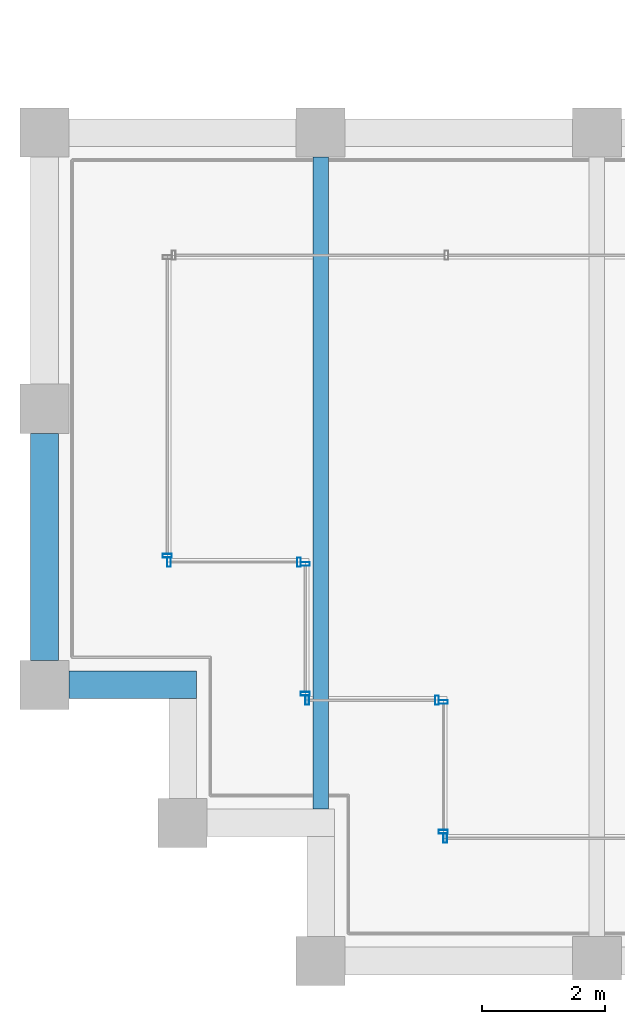
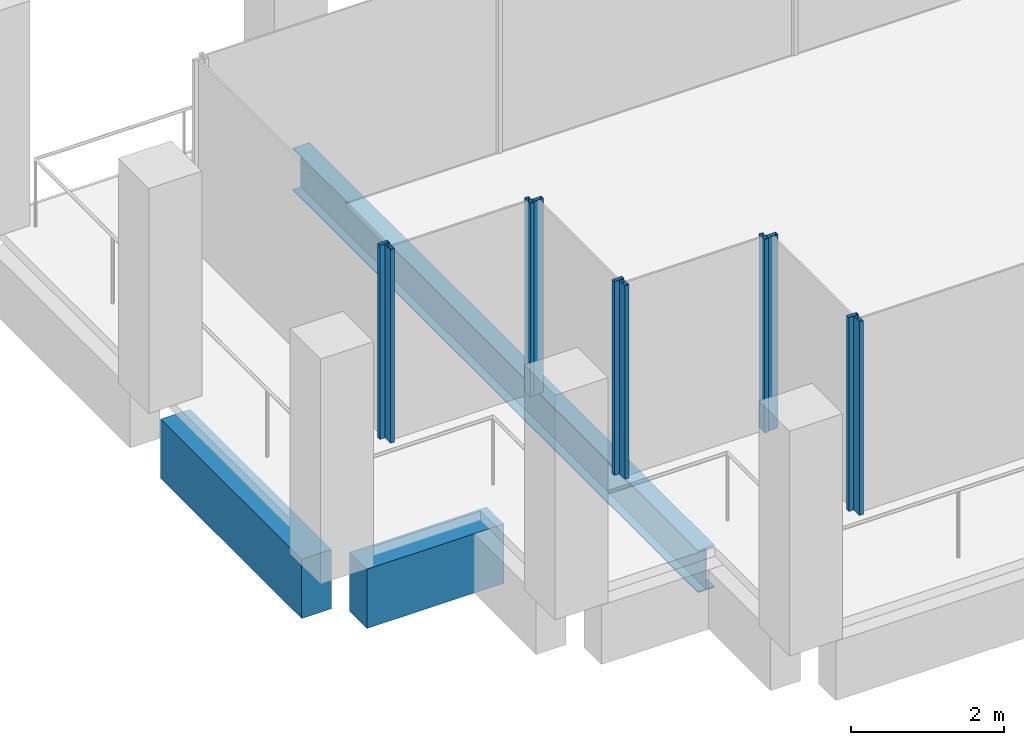
# One storey, part 2 of 30: 10 members, 3 beams, 6 elements without a shape of their own.
"""IFC4 building model written with IfcOpenShell, lengths in metres."""

from ifc_helpers import new_model, si_unit, direction, frame, origin, origin_2d, place, context, subcontext, project, spatial, rectangle, hollow_rectangle, i_section, extrude, material, material_profile, profile_set, type_object, element, aggregate, save


model = new_model("IFC4")

# Units and contexts
model_context = context("Model", 3, precision=1e-05, world=origin(), true_north=direction((0.0, 1.0)))
body_context = subcontext(model_context, "Body", "Model", "MODEL_VIEW")
ifc_project = project(units=[si_unit("LENGTHUNIT", "METRE"), si_unit("AREAUNIT", "SQUARE_METRE"), si_unit("VOLUMEUNIT", "CUBIC_METRE"), si_unit("PLANEANGLEUNIT", "RADIAN"), si_unit("MASSUNIT", "GRAM", prefix="KILO")], contexts=[model_context])

# Site, building, storey
site_placement = place(None, origin())
site = spatial("IfcSite", under=ifc_project, at=site_placement, CompositionType="ELEMENT")
building_placement = place(site_placement, origin())
building = spatial("IfcBuilding", under=site, at=building_placement, Name="Altepetl Exchange Towers", CompositionType="ELEMENT")
storey_placement = place(building_placement, frame((0.0, 0.0, 217.199951171875)))
storey = spatial("IfcBuildingStorey", under=building, at=storey_placement, Name="L55", CompositionType="ELEMENT", Elevation=217.199951171875)

# Beam
ifc_material_1 = material(Name="Steel S355", Category="steel")
ifc_material_profile_1 = material_profile(ifc_material_1, i_section(OverallWidth=0.2529296875, OverallDepth=0.677978515625, WebThickness=0.01171875, FlangeThickness=0.016357421875, at=origin_2d()), Name="W27X84")
ifc_profile_set_1 = profile_set([ifc_material_profile_1], Name="Steel S355")
beam_type_1 = type_object("IfcBeamType", Name="Floor beam W27X84", PredefinedType="BEAM", material=ifc_profile_set_1)
beam_1_placement = place(storey_placement, frame((31.5, 29.47509765625, -0.489013671875), z_axis=(0.0, 1.0, 0.0), x_axis=(-1.0, 0.0, 0.0)))
element("IfcBeam", 1, at=beam_1_placement, inside=storey, type_object=beam_type_1, Name="bm:A:L55:012", PredefinedType="BEAM", context=body_context, shape_type="SweptSolid", body=[
    extrude(i_section(OverallWidth=0.2529296875, OverallDepth=0.677978515625, WebThickness=0.01171875, FlangeThickness=0.016357421875, at=origin_2d()), origin(), (0.0, 0.0, 1.0), 10.625),
])

# Curtain wall, member
ifc_material_2 = material(Name="Aluminium 6063-T6 glazing", Category="aluminium")
curtain_wall_type = type_object("IfcCurtainWallType", Name="Loggia glazing system", PredefinedType="NOTDEFINED", material=ifc_material_2)
curtain_wall_1_placement = place(storey_placement, origin())
curtain_wall_1 = element("IfcCurtainWall", 2, at=curtain_wall_1_placement, inside=storey, type_object=curtain_wall_type, Name="CW1 run", PredefinedType="NOTDEFINED")
ifc_material_3 = material(Name="Aluminium 6063-T6", Category="aluminium")
ifc_material_profile_2 = material_profile(ifc_material_3, hollow_rectangle(XDim=0.06005859375, YDim=0.14990234375, WallThickness=0.0029296875, at=origin_2d()), Name="Mullion 60x150 aluminium")
ifc_profile_set_2 = profile_set([ifc_material_profile_2], Name="Aluminium 6063-T6")
member_type = type_object("IfcMemberType", Name="Mullion 60x150 aluminium", PredefinedType="MULLION", material=ifc_profile_set_2)
member_1_placement = place(storey_placement, frame((29.0, 33.60498046875, 0.0), z_axis=(0.0, 0.0, 1.0), x_axis=(0.0, -1.0, 0.0)))
member_1 = element("IfcMember", 3, at=member_1_placement, type_object=member_type, Name="MU1 mullion", PredefinedType="MULLION", context=body_context, shape_type="SweptSolid", body=[
    extrude(hollow_rectangle(XDim=0.06005859375, YDim=0.14990234375, WallThickness=0.0029296875, at=origin_2d()), origin(), (0.0, 0.0, 1.0), 3.10009765625),
])
aggregate(curtain_wall_1, [member_1])

# Curtain wall, members
curtain_wall_2_placement = place(storey_placement, origin())
curtain_wall_2 = element("IfcCurtainWall", 4, at=curtain_wall_2_placement, inside=storey, type_object=curtain_wall_type, Name="CW1 run", PredefinedType="NOTDEFINED")
member_2_placement = place(storey_placement, frame((29.030029296875, 33.5, 0.0)))
member_2 = element("IfcMember", 5, at=member_2_placement, type_object=member_type, Name="MU1 mullion", PredefinedType="MULLION", context=body_context, shape_type="SweptSolid", body=[
    extrude(hollow_rectangle(XDim=0.06005859375, YDim=0.14990234375, WallThickness=0.0029296875, at=origin_2d()), origin(), (0.0, 0.0, 1.0), 3.10009765625),
])
member_3_placement = place(storey_placement, frame((31.14501953125, 33.5, 0.0)))
member_3 = element("IfcMember", 6, at=member_3_placement, type_object=member_type, Name="MU1 mullion", PredefinedType="MULLION", context=body_context, shape_type="SweptSolid", body=[
    extrude(hollow_rectangle(XDim=0.06005859375, YDim=0.14990234375, WallThickness=0.0029296875, at=origin_2d()), origin(), (0.0, 0.0, 1.0), 3.10009765625),
])
aggregate(curtain_wall_2, [member_2, member_3])

curtain_wall_3_placement = place(storey_placement, origin())
curtain_wall_3 = element("IfcCurtainWall", 7, at=curtain_wall_3_placement, inside=storey, type_object=curtain_wall_type, Name="CW1 run", PredefinedType="NOTDEFINED")
member_4_placement = place(storey_placement, frame((31.25, 33.469970703125, 0.0), z_axis=(0.0, 0.0, 1.0), x_axis=(0.0, -1.0, 0.0)))
member_4 = element("IfcMember", 8, at=member_4_placement, type_object=member_type, Name="MU1 mullion", PredefinedType="MULLION", context=body_context, shape_type="SweptSolid", body=[
    extrude(hollow_rectangle(XDim=0.06005859375, YDim=0.14990234375, WallThickness=0.0029296875, at=origin_2d()), origin(), (0.0, 0.0, 1.0), 3.10009765625),
])
member_5_placement = place(storey_placement, frame((31.25, 31.35498046875, 0.0), z_axis=(0.0, 0.0, 1.0), x_axis=(0.0, -1.0, 0.0)))
member_5 = element("IfcMember", 9, at=member_5_placement, type_object=member_type, Name="MU1 mullion", PredefinedType="MULLION", context=body_context, shape_type="SweptSolid", body=[
    extrude(hollow_rectangle(XDim=0.06005859375, YDim=0.14990234375, WallThickness=0.0029296875, at=origin_2d()), origin(), (0.0, 0.0, 1.0), 3.10009765625),
])
aggregate(curtain_wall_3, [member_4, member_5])

curtain_wall_4_placement = place(storey_placement, origin())
curtain_wall_4 = element("IfcCurtainWall", 10, at=curtain_wall_4_placement, inside=storey, type_object=curtain_wall_type, Name="CW1 run", PredefinedType="NOTDEFINED")
member_6_placement = place(storey_placement, frame((31.280029296875, 31.25, 0.0)))
member_6 = element("IfcMember", 11, at=member_6_placement, type_object=member_type, Name="MU1 mullion", PredefinedType="MULLION", context=body_context, shape_type="SweptSolid", body=[
    extrude(hollow_rectangle(XDim=0.06005859375, YDim=0.14990234375, WallThickness=0.0029296875, at=origin_2d()), origin(), (0.0, 0.0, 1.0), 3.10009765625),
])
member_7_placement = place(storey_placement, frame((33.39501953125, 31.25, 0.0)))
member_7 = element("IfcMember", 12, at=member_7_placement, type_object=member_type, Name="MU1 mullion", PredefinedType="MULLION", context=body_context, shape_type="SweptSolid", body=[
    extrude(hollow_rectangle(XDim=0.06005859375, YDim=0.14990234375, WallThickness=0.0029296875, at=origin_2d()), origin(), (0.0, 0.0, 1.0), 3.10009765625),
])
aggregate(curtain_wall_4, [member_6, member_7])

curtain_wall_5_placement = place(storey_placement, origin())
curtain_wall_5 = element("IfcCurtainWall", 13, at=curtain_wall_5_placement, inside=storey, type_object=curtain_wall_type, Name="CW1 run", PredefinedType="NOTDEFINED")
member_8_placement = place(storey_placement, frame((33.5, 31.219970703125, 0.0), z_axis=(0.0, 0.0, 1.0), x_axis=(0.0, -1.0, 0.0)))
member_8 = element("IfcMember", 14, at=member_8_placement, type_object=member_type, Name="MU1 mullion", PredefinedType="MULLION", context=body_context, shape_type="SweptSolid", body=[
    extrude(hollow_rectangle(XDim=0.06005859375, YDim=0.14990234375, WallThickness=0.0029296875, at=origin_2d()), origin(), (0.0, 0.0, 1.0), 3.10009765625),
])
member_9_placement = place(storey_placement, frame((33.5, 29.10498046875, 0.0), z_axis=(0.0, 0.0, 1.0), x_axis=(0.0, -1.0, 0.0)))
member_9 = element("IfcMember", 15, at=member_9_placement, type_object=member_type, Name="MU1 mullion", PredefinedType="MULLION", context=body_context, shape_type="SweptSolid", body=[
    extrude(hollow_rectangle(XDim=0.06005859375, YDim=0.14990234375, WallThickness=0.0029296875, at=origin_2d()), origin(), (0.0, 0.0, 1.0), 3.10009765625),
])
aggregate(curtain_wall_5, [member_8, member_9])

# Curtain wall, member
curtain_wall_6_placement = place(storey_placement, origin())
curtain_wall_6 = element("IfcCurtainWall", 16, at=curtain_wall_6_placement, inside=storey, type_object=curtain_wall_type, Name="CW1 run", PredefinedType="NOTDEFINED")
member_10_placement = place(storey_placement, frame((33.530029296875, 29.0, 0.0)))
member_10 = element("IfcMember", 17, at=member_10_placement, type_object=member_type, Name="MU1 mullion", PredefinedType="MULLION", context=body_context, shape_type="SweptSolid", body=[
    extrude(hollow_rectangle(XDim=0.06005859375, YDim=0.14990234375, WallThickness=0.0029296875, at=origin_2d()), origin(), (0.0, 0.0, 1.0), 3.10009765625),
])
aggregate(curtain_wall_6, [member_10])

# Beams
ifc_material_4 = material(Name="Concrete C50/60 precast with cantera blanca facing", Category="concrete")
ifc_material_profile_3 = material_profile(ifc_material_4, rectangle(XDim=0.449951171875, YDim=0.949951171875, at=origin_2d()), Name="450 x 950")
ifc_profile_set_3 = profile_set([ifc_material_profile_3], Name="Concrete C50/60 precast with cantera blanca facing")
beam_type_2 = type_object("IfcBeamType", Name="Spandrel beam 450x950 cantera blanca", PredefinedType="SPANDREL", material=ifc_profile_set_3)
beam_2_placement = place(storey_placement, frame((27.0, 35.60009765625, -0.625), z_axis=(0.0, -1.0, 0.0), x_axis=(1.0, 0.0, 0.0)))
element("IfcBeam", 18, at=beam_2_placement, inside=storey, type_object=beam_type_2, Name="sp:A:L55:037", PredefinedType="SPANDREL", context=body_context, shape_type="SweptSolid", body=[
    extrude(rectangle(XDim=0.449951171875, YDim=0.949951171875, at=origin_2d()), origin(), (0.0, 0.0, 1.0), 3.7001953125),
])
beam_3_placement = place(storey_placement, frame((27.39990234375, 31.5, -0.625), z_axis=(1.0, 0.0, 0.0), x_axis=(0.0, 1.0, 0.0)))
element("IfcBeam", 19, at=beam_3_placement, inside=storey, type_object=beam_type_2, Name="sp:A:L55:038", PredefinedType="SPANDREL", context=body_context, shape_type="SweptSolid", body=[
    extrude(rectangle(XDim=0.449951171875, YDim=0.949951171875, at=origin_2d()), origin(), (0.0, 0.0, 1.0), 2.0751953125),
])

save(model, "model.ifc")
